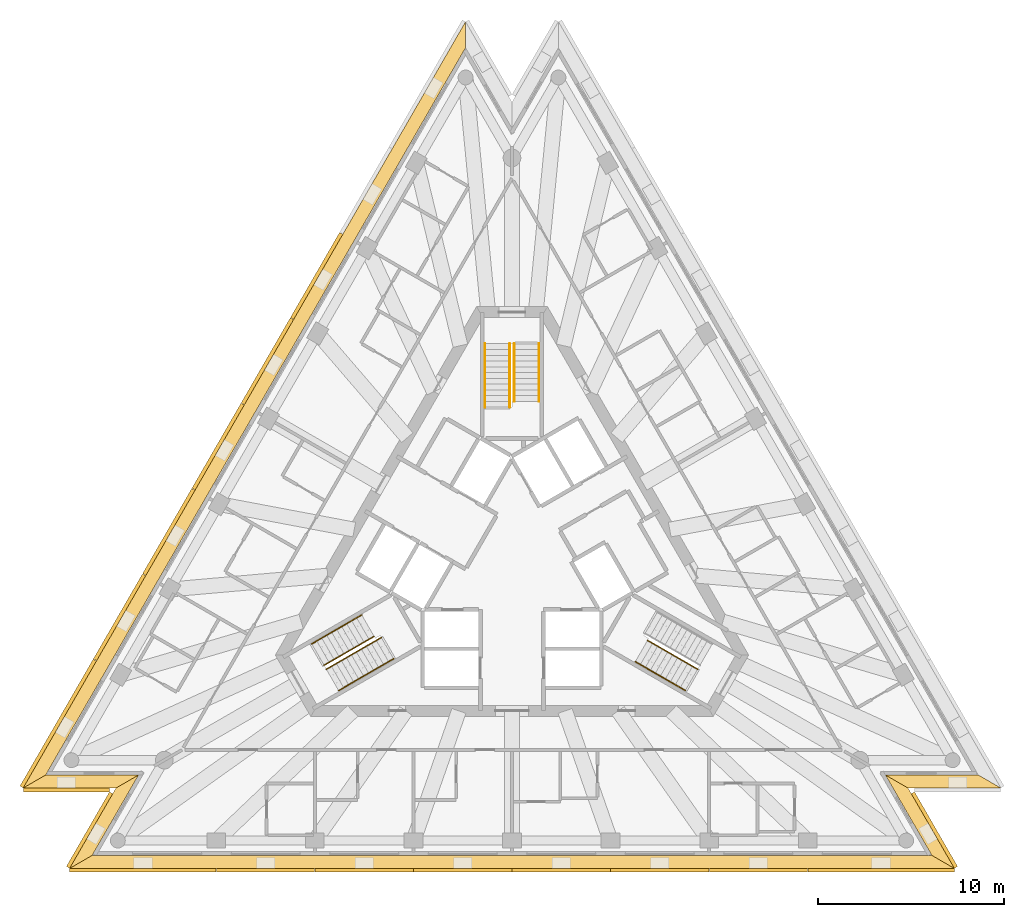
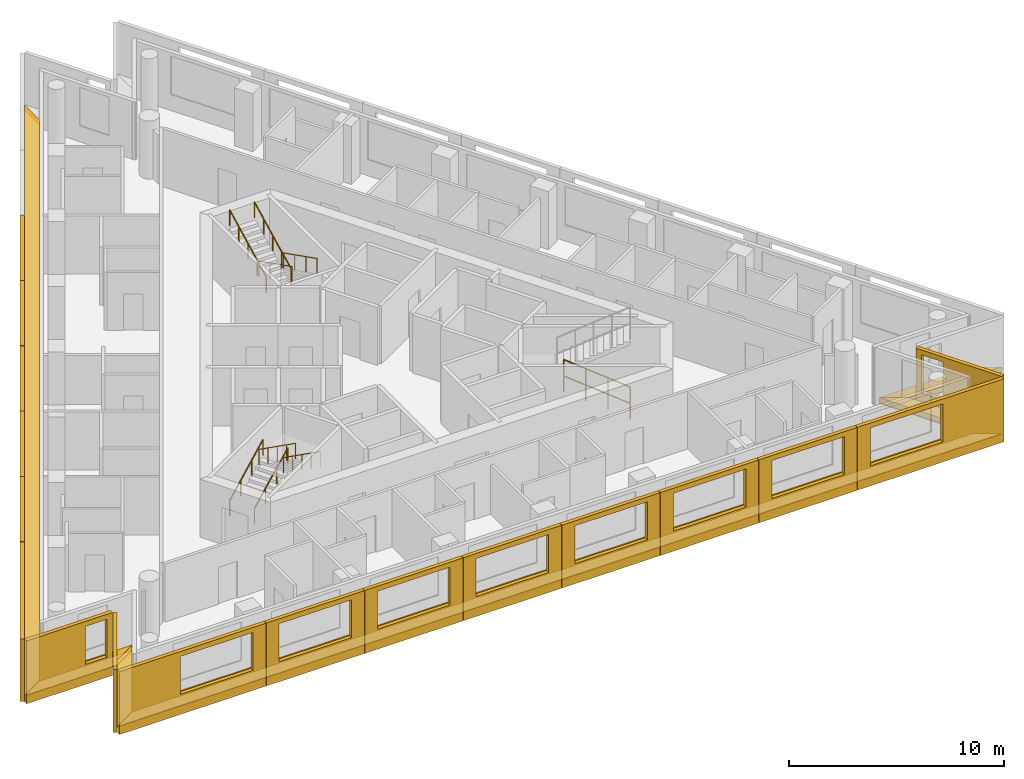
# One storey, part 10 of 11: 23 shading devices, 10 railings, 6 coverings, 3 elements without a shape of their own.
"""IFC4 building model written with IfcOpenShell, lengths in metres."""

from ifc_helpers import new_model, si_unit, direction, frame, origin, origin_2d, place, context, subcontext, project, spatial, polyline, circle, outline, extrude, material, layer, layer_set, layer_usage, type_object, element, aggregate, save


model = new_model("IFC4")

# Units and contexts
model_context = context("Model", 3, precision=1e-05, world=origin(), true_north=direction((0.0, 1.0)))
body_context = subcontext(model_context, "Body", "Model", "MODEL_VIEW")
ifc_project = project(units=[si_unit("LENGTHUNIT", "METRE"), si_unit("AREAUNIT", "SQUARE_METRE"), si_unit("VOLUMEUNIT", "CUBIC_METRE"), si_unit("PLANEANGLEUNIT", "RADIAN"), si_unit("MASSUNIT", "GRAM", prefix="KILO")], contexts=[model_context])

# Site, building, storey
site_placement = place(None, origin())
site = spatial("IfcSite", under=ifc_project, at=site_placement, CompositionType="ELEMENT")
building_placement = place(site_placement, origin())
building = spatial("IfcBuilding", under=site, at=building_placement, Name="Triada Interchange Tower", CompositionType="ELEMENT")
storey_placement = place(building_placement, frame((0.0, 0.0, 300.699951171875)))
storey = spatial("IfcBuildingStorey", under=building, at=storey_placement, Name="L71", CompositionType="ELEMENT", Elevation=300.699951171875)

# Coverings
ifc_material_1 = material(Name="Mineral fire-stop board")
ifc_layer_1 = layer(ifc_material_1, 0.0400390625, Name="Mineral fire-stop board")
ifc_material_2 = material(Name="Intumescent sealant")
ifc_layer_2 = layer(ifc_material_2, 0.010009765625, Name="Intumescent seal")
ifc_layer_set_1 = layer_set([ifc_layer_1, ifc_layer_2], Name="Cavity fire stop")
ifc_layer_usage = layer_usage(ifc_layer_set_1, "AXIS3", "POSITIVE", 0.0)
covering_type = type_object("IfcCoveringType", Name="Cavity fire stop", PredefinedType="INSULATION", material=ifc_layer_set_1)
covering_1_placement = place(storey_placement, origin())
element("IfcCovering", 1, at=covering_1_placement, inside=storey, type_object=covering_type, material=ifc_layer_usage, Name="Cavity fire stop L71 NW", PredefinedType="INSULATION", context=body_context, shape_type="SweptSolid", body=[
    extrude(outline(polyline([(-2.498046875, 27.527099609375), (-2.498046875, 28.927001953125), (-26.300048828125, -12.300048828125), (-25.087890625, -11.60009765625), (-2.498046875, 27.527099609375)])), origin(), (0.0, 0.0, 1.0), 0.050048828125),
])
covering_2_placement = place(storey_placement, origin())
element("IfcCovering", 2, at=covering_2_placement, inside=storey, type_object=covering_type, material=ifc_layer_usage, Name="Cavity fire stop L71 SW-1", PredefinedType="INSULATION", context=body_context, shape_type="SweptSolid", body=[
    extrude(outline(polyline([(-25.087890625, -11.60009765625), (-26.300048828125, -12.300048828125), (-21.302978515625, -12.300048828125), (-20.091064453125, -11.60009765625), (-25.087890625, -11.60009765625)])), origin(), (0.0, 0.0, 1.0), 0.050048828125),
])
covering_3_placement = place(storey_placement, origin())
element("IfcCovering", 3, at=covering_3_placement, inside=storey, type_object=covering_type, material=ifc_layer_usage, Name="Cavity fire stop L71 SW-2", PredefinedType="INSULATION", context=body_context, shape_type="SweptSolid", body=[
    extrude(outline(polyline([(-20.091064453125, -11.60009765625), (-21.302978515625, -12.300048828125), (-23.802001953125, -16.626953125), (-22.590087890625, -15.927001953125), (-20.091064453125, -11.60009765625)])), origin(), (0.0, 0.0, 1.0), 0.050048828125),
])
covering_4_placement = place(storey_placement, origin())
element("IfcCovering", 4, at=covering_4_placement, inside=storey, type_object=covering_type, material=ifc_layer_usage, Name="Cavity fire stop L71 S", PredefinedType="INSULATION", context=body_context, shape_type="SweptSolid", body=[
    extrude(outline(polyline([(-22.590087890625, -15.927001953125), (-23.802001953125, -16.626953125), (23.802001953125, -16.626953125), (22.590087890625, -15.927001953125), (-22.590087890625, -15.927001953125)])), origin(), (0.0, 0.0, 1.0), 0.050048828125),
])
covering_5_placement = place(storey_placement, origin())
element("IfcCovering", 5, at=covering_5_placement, inside=storey, type_object=covering_type, material=ifc_layer_usage, Name="Cavity fire stop L71 SE-1", PredefinedType="INSULATION", context=body_context, shape_type="SweptSolid", body=[
    extrude(outline(polyline([(22.590087890625, -15.927001953125), (23.802001953125, -16.626953125), (21.302978515625, -12.300048828125), (20.091064453125, -11.60009765625), (22.590087890625, -15.927001953125)])), origin(), (0.0, 0.0, 1.0), 0.050048828125),
])
covering_6_placement = place(storey_placement, origin())
element("IfcCovering", 6, at=covering_6_placement, inside=storey, type_object=covering_type, material=ifc_layer_usage, Name="Cavity fire stop L71 SE-2", PredefinedType="INSULATION", context=body_context, shape_type="SweptSolid", body=[
    extrude(outline(polyline([(20.091064453125, -11.60009765625), (21.302978515625, -12.300048828125), (26.300048828125, -12.300048828125), (25.087890625, -11.60009765625), (20.091064453125, -11.60009765625)])), origin(), (0.0, 0.0, 1.0), 0.050048828125),
])

# Shading devices
ifc_material_3 = material(Name="Aluminium louvre", Category="aluminium")
shading_device_type_1 = type_object("IfcShadingDeviceType", Name="Cavity louvre grille", PredefinedType="JALOUSIE", material=ifc_material_3)
shading_device_1_placement = place(storey_placement, frame((0.0, 0.0, 0.050048828125)))
element("IfcShadingDevice", 7, at=shading_device_1_placement, inside=storey, type_object=shading_device_type_1, Name="Cavity louvre grille L71 NW", PredefinedType="JALOUSIE", context=body_context, shape_type="SweptSolid", body=[
    extrude(outline(polyline([(-2.498046875, 27.527099609375), (-2.498046875, 28.927001953125), (-26.300048828125, -12.300048828125), (-25.087890625, -11.60009765625), (-2.498046875, 27.527099609375)])), origin(), (0.0, 0.0, 1.0), 0.300048828125),
])
shading_device_2_placement = place(storey_placement, frame((0.0, 0.0, 0.050048828125)))
element("IfcShadingDevice", 8, at=shading_device_2_placement, inside=storey, type_object=shading_device_type_1, Name="Cavity louvre grille L71 SW-1", PredefinedType="JALOUSIE", context=body_context, shape_type="SweptSolid", body=[
    extrude(outline(polyline([(-25.087890625, -11.60009765625), (-26.300048828125, -12.300048828125), (-21.302978515625, -12.300048828125), (-20.091064453125, -11.60009765625), (-25.087890625, -11.60009765625)])), origin(), (0.0, 0.0, 1.0), 0.300048828125),
])
shading_device_3_placement = place(storey_placement, frame((0.0, 0.0, 0.050048828125)))
element("IfcShadingDevice", 9, at=shading_device_3_placement, inside=storey, type_object=shading_device_type_1, Name="Cavity louvre grille L71 SW-2", PredefinedType="JALOUSIE", context=body_context, shape_type="SweptSolid", body=[
    extrude(outline(polyline([(-20.091064453125, -11.60009765625), (-21.302978515625, -12.300048828125), (-23.802001953125, -16.626953125), (-22.590087890625, -15.927001953125), (-20.091064453125, -11.60009765625)])), origin(), (0.0, 0.0, 1.0), 0.300048828125),
])
shading_device_4_placement = place(storey_placement, frame((0.0, 0.0, 0.050048828125)))
element("IfcShadingDevice", 10, at=shading_device_4_placement, inside=storey, type_object=shading_device_type_1, Name="Cavity louvre grille L71 S", PredefinedType="JALOUSIE", context=body_context, shape_type="SweptSolid", body=[
    extrude(outline(polyline([(-22.590087890625, -15.927001953125), (-23.802001953125, -16.626953125), (23.802001953125, -16.626953125), (22.590087890625, -15.927001953125), (-22.590087890625, -15.927001953125)])), origin(), (0.0, 0.0, 1.0), 0.300048828125),
])
shading_device_5_placement = place(storey_placement, frame((0.0, 0.0, 0.050048828125)))
element("IfcShadingDevice", 11, at=shading_device_5_placement, inside=storey, type_object=shading_device_type_1, Name="Cavity louvre grille L71 SE-1", PredefinedType="JALOUSIE", context=body_context, shape_type="SweptSolid", body=[
    extrude(outline(polyline([(22.590087890625, -15.927001953125), (23.802001953125, -16.626953125), (21.302978515625, -12.300048828125), (20.091064453125, -11.60009765625), (22.590087890625, -15.927001953125)])), origin(), (0.0, 0.0, 1.0), 0.300048828125),
])
shading_device_6_placement = place(storey_placement, frame((0.0, 0.0, 0.050048828125)))
element("IfcShadingDevice", 12, at=shading_device_6_placement, inside=storey, type_object=shading_device_type_1, Name="Cavity louvre grille L71 SE-2", PredefinedType="JALOUSIE", context=body_context, shape_type="SweptSolid", body=[
    extrude(outline(polyline([(20.091064453125, -11.60009765625), (21.302978515625, -12.300048828125), (26.300048828125, -12.300048828125), (25.087890625, -11.60009765625), (20.091064453125, -11.60009765625)])), origin(), (0.0, 0.0, 1.0), 0.300048828125),
])
ifc_material_4 = material(Name="Concrete C50/60 precast", Category="concrete")
ifc_layer_3 = layer(ifc_material_4, 0.02001953125, Name="Exposed aggregate face")
ifc_layer_4 = layer(ifc_material_4, 0.179931640625, Name="Precast concrete screen")
ifc_layer_set_2 = layer_set([ifc_layer_3, ifc_layer_4], Name="Outer skin screen panel 3580")
shading_device_type_2 = type_object("IfcShadingDeviceType", Name="Outer skin screen panel 3580", PredefinedType="SHUTTER", material=ifc_layer_set_2)
shading_device_7_placement = place(storey_placement, frame((-9.10302734375, 17.487060546875, -0.2900390625), z_axis=(0.0, 0.0, 1.0), x_axis=(-0.500011881073, -0.866018544135, 0.0)))
element("IfcShadingDevice", 13, at=shading_device_7_placement, inside=storey, type_object=shading_device_type_2, Name="Outer skin screen panel L71 03", PredefinedType="SHUTTER", context=body_context, shape_type="SweptSolid", body=[
    extrude(outline(polyline([(0.0, 0.0), (5.281494140625, 0.0), (5.281494140625, 3.580078125), (0.0, 3.580078125), (0.0, 0.0)]), holes=[polyline([(0.6904296875, 1.139892578125), (0.6904296875, 3.300048828125), (4.59033203125, 3.300048828125), (4.59033203125, 1.139892578125), (0.6904296875, 1.139892578125)])]), frame((0.0, 0.0, 0.0), z_axis=(0.0, -1.0, 0.0), x_axis=(1.0, 0.0, 0.0)), (0.0, 0.0, 1.0), 0.199951171875),
])
shading_device_8_placement = place(storey_placement, frame((-11.75390625, 12.89599609375, -0.2900390625), z_axis=(0.0, 0.0, 1.0), x_axis=(-0.499907866474, -0.866078590566, 0.0)))
element("IfcShadingDevice", 14, at=shading_device_8_placement, inside=storey, type_object=shading_device_type_2, Name="Outer skin screen panel L71 04", PredefinedType="SHUTTER", context=body_context, shape_type="SweptSolid", body=[
    extrude(outline(polyline([(0.0, 0.0), (5.28125, 0.0), (5.28125, 3.580078125), (0.0, 3.580078125), (0.0, 0.0)]), holes=[polyline([(0.690185546875, 1.139892578125), (0.690185546875, 3.300048828125), (4.59033203125, 3.300048828125), (4.59033203125, 1.139892578125), (0.690185546875, 1.139892578125)])]), frame((0.0, 0.0, 0.0), z_axis=(0.0, -1.0, 0.0), x_axis=(1.0, 0.0, 0.0)), (0.0, 0.0, 1.0), 0.199951171875),
])
shading_device_9_placement = place(storey_placement, frame((-14.404052734375, 8.304931640625, -0.2900390625), z_axis=(0.0, 0.0, 1.0), x_axis=(-0.500011881073, -0.866018544135, 0.0)))
element("IfcShadingDevice", 15, at=shading_device_9_placement, inside=storey, type_object=shading_device_type_2, Name="Outer skin screen panel L71 05", PredefinedType="SHUTTER", context=body_context, shape_type="SweptSolid", body=[
    extrude(outline(polyline([(0.0, 0.0), (5.281494140625, 0.0), (5.281494140625, 3.580078125), (0.0, 3.580078125), (0.0, 0.0)]), holes=[polyline([(0.690185546875, 1.139892578125), (0.690185546875, 3.300048828125), (4.59033203125, 3.300048828125), (4.59033203125, 1.139892578125), (0.690185546875, 1.139892578125)])]), frame((0.0, 0.0, 0.0), z_axis=(0.0, -1.0, 0.0), x_axis=(1.0, 0.0, 0.0)), (0.0, 0.0, 1.0), 0.199951171875),
])
shading_device_10_placement = place(storey_placement, frame((-17.054931640625, 3.714111328125, -0.2900390625), z_axis=(0.0, 0.0, 1.0), x_axis=(-0.499887852359, -0.866090142574, 0.0)))
element("IfcShadingDevice", 16, at=shading_device_10_placement, inside=storey, type_object=shading_device_type_2, Name="Outer skin screen panel L71 06", PredefinedType="SHUTTER", context=body_context, shape_type="SweptSolid", body=[
    extrude(outline(polyline([(0.0, 0.0), (5.281494140625, 0.0), (5.281494140625, 3.580078125), (0.0, 3.580078125), (0.0, 0.0)]), holes=[polyline([(0.690185546875, 1.139892578125), (0.690185546875, 3.300048828125), (4.590087890625, 3.300048828125), (4.590087890625, 1.139892578125), (0.690185546875, 1.139892578125)])]), frame((0.0, 0.0, 0.0), z_axis=(0.0, -1.0, 0.0), x_axis=(1.0, 0.0, 0.0)), (0.0, 0.0, 1.0), 0.199951171875),
])
shading_device_11_placement = place(storey_placement, frame((-19.705078125, -0.876953125, -0.2900390625), z_axis=(0.0, 0.0, 1.0), x_axis=(-0.500091956443, -0.865972306197, 0.0)))
element("IfcShadingDevice", 17, at=shading_device_11_placement, inside=storey, type_object=shading_device_type_2, Name="Outer skin screen panel L71 07", PredefinedType="SHUTTER", context=body_context, shape_type="SweptSolid", body=[
    extrude(outline(polyline([(0.0, 0.0), (5.28076171875, 0.0), (5.28076171875, 3.580078125), (0.0, 3.580078125), (0.0, 0.0)]), holes=[polyline([(0.690185546875, 1.139892578125), (0.690185546875, 3.300048828125), (4.590087890625, 3.300048828125), (4.590087890625, 1.139892578125), (0.690185546875, 1.139892578125)])]), frame((0.0, 0.0, 0.0), z_axis=(0.0, -1.0, 0.0), x_axis=(1.0, 0.0, 0.0)), (0.0, 0.0, 1.0), 0.199951171875),
])
shading_device_12_placement = place(storey_placement, frame((-22.35595703125, -5.468017578125, -0.2900390625), z_axis=(0.0, 0.0, 1.0), x_axis=(-0.499971924588, -0.866041612524, 0.0)))
element("IfcShadingDevice", 18, at=shading_device_12_placement, inside=storey, type_object=shading_device_type_2, Name="Outer skin screen panel L71 08", PredefinedType="SHUTTER", context=body_context, shape_type="SweptSolid", body=[
    extrude(outline(polyline([(0.0, 0.0), (7.87841796875, 0.0), (7.87841796875, 3.580078125), (0.0, 3.580078125), (0.0, 0.0)]), holes=[polyline([(0.690185546875, 1.139892578125), (0.690185546875, 3.300048828125), (4.590087890625, 3.300048828125), (4.590087890625, 1.139892578125), (0.690185546875, 1.139892578125)])]), frame((0.0, 0.0, 0.0), z_axis=(0.0, -1.0, 0.0), x_axis=(1.0, 0.0, 0.0)), (0.0, 0.0, 1.0), 0.199951171875),
])
shading_device_13_placement = place(storey_placement, frame((-26.2900390625, -12.300048828125, -0.2900390625), z_axis=(0.0, 0.0, 1.0), x_axis=(1.0, 0.0, 0.0)))
element("IfcShadingDevice", 19, at=shading_device_13_placement, inside=storey, type_object=shading_device_type_2, Name="Outer skin screen panel L71 09", PredefinedType="SHUTTER", context=body_context, shape_type="SweptSolid", body=[
    extrude(outline(polyline([(0.0, 0.0), (4.630126953125, 0.0), (4.630126953125, 3.580078125), (0.0, 3.580078125), (0.0, 0.0)]), holes=[polyline([(3.175048828125, 1.139892578125), (3.175048828125, 3.300048828125), (4.330078125, 3.300048828125), (4.330078125, 1.139892578125), (3.175048828125, 1.139892578125)])]), frame((0.0, 0.0, 0.0), z_axis=(0.0, -1.0, 0.0), x_axis=(1.0, 0.0, 0.0)), (0.0, 0.0, 1.0), 0.199951171875),
])
shading_device_14_placement = place(storey_placement, frame((-21.48193359375, -12.60888671875, -0.2900390625), z_axis=(0.0, 0.0, 1.0), x_axis=(-0.500092201355, -0.865972164763, 0.0)))
element("IfcShadingDevice", 20, at=shading_device_14_placement, inside=storey, type_object=shading_device_type_2, Name="Outer skin screen panel L71 10", PredefinedType="SHUTTER", context=body_context, shape_type="SweptSolid", body=[
    extrude(outline(polyline([(0.0, 0.0), (4.629638671875, 0.0), (4.629638671875, 3.580078125), (0.0, 3.580078125), (0.0, 0.0)]), holes=[polyline([(0.300048828125, 1.139892578125), (0.300048828125, 3.300048828125), (1.2578125, 3.300048828125), (1.2578125, 1.139892578125), (0.300048828125, 1.139892578125)])]), frame((0.0, 0.0, 0.0), z_axis=(0.0, -1.0, 0.0), x_axis=(1.0, 0.0, 0.0)), (0.0, 0.0, 1.0), 0.199951171875),
])
shading_device_15_placement = place(storey_placement, frame((-23.7919921875, -16.626953125, -0.2900390625), z_axis=(0.0, 0.0, 1.0), x_axis=(1.0, 0.0, 0.0)))
element("IfcShadingDevice", 21, at=shading_device_15_placement, inside=storey, type_object=shading_device_type_2, Name="Outer skin screen panel L71 11", PredefinedType="SHUTTER", context=body_context, shape_type="SweptSolid", body=[
    extrude(outline(polyline([(0.0, 0.0), (7.87890625, 0.0), (7.87890625, 3.580078125), (0.0, 3.580078125), (0.0, 0.0)]), holes=[polyline([(3.2890625, 1.139892578125), (3.2890625, 3.300048828125), (7.18896484375, 3.300048828125), (7.18896484375, 1.139892578125), (3.2890625, 1.139892578125)])]), frame((0.0, 0.0, 0.0), z_axis=(0.0, -1.0, 0.0), x_axis=(1.0, 0.0, 0.0)), (0.0, 0.0, 1.0), 0.199951171875),
])
for number, where, z_axis, x_axis, name in (
    (22, (-15.89306640625, -16.626953125, -0.2900390625), (0.0, 0.0, 1.0), (1.0, 0.0, 0.0), "Outer skin screen panel L71 12"),
    (23, (-10.592041015625, -16.626953125, -0.2900390625), (0.0, 0.0, 1.0), (1.0, 0.0, 0.0), "Outer skin screen panel L71 13"),
):
    element("IfcShadingDevice", number, at=place(storey_placement, frame(where, z_axis=z_axis, x_axis=x_axis)), inside=storey, type_object=shading_device_type_2, Name=name, PredefinedType="SHUTTER", context=body_context, shape_type="SweptSolid", body=[
        extrude(outline(polyline([(0.0, 0.0), (5.281005859375, 0.0), (5.281005859375, 3.580078125), (0.0, 3.580078125), (0.0, 0.0)]), holes=[polyline([(0.69091796875, 1.139892578125), (0.69091796875, 3.300048828125), (4.591064453125, 3.300048828125), (4.591064453125, 1.139892578125), (0.69091796875, 1.139892578125)])]), frame((0.0, 0.0, 0.0), z_axis=(0.0, -1.0, 0.0), x_axis=(1.0, 0.0, 0.0)), (0.0, 0.0, 1.0), 0.199951171875),
    ])
shading_device_16_placement = place(storey_placement, frame((-5.291015625, -16.626953125, -0.2900390625), z_axis=(0.0, 0.0, 1.0), x_axis=(1.0, 0.0, 0.0)))
element("IfcShadingDevice", 24, at=shading_device_16_placement, inside=storey, type_object=shading_device_type_2, Name="Outer skin screen panel L71 14", PredefinedType="SHUTTER", context=body_context, shape_type="SweptSolid", body=[
    extrude(outline(polyline([(0.0, 0.0), (5.281005859375, 0.0), (5.281005859375, 3.580078125), (0.0, 3.580078125), (0.0, 0.0)]), holes=[polyline([(0.68994140625, 1.139892578125), (0.68994140625, 3.300048828125), (4.590087890625, 3.300048828125), (4.590087890625, 1.139892578125), (0.68994140625, 1.139892578125)])]), frame((0.0, 0.0, 0.0), z_axis=(0.0, -1.0, 0.0), x_axis=(1.0, 0.0, 0.0)), (0.0, 0.0, 1.0), 0.199951171875),
])
shading_device_17_placement = place(storey_placement, frame((0.010009765625, -16.626953125, -0.2900390625), z_axis=(0.0, 0.0, 1.0), x_axis=(1.0, 0.0, 0.0)))
element("IfcShadingDevice", 25, at=shading_device_17_placement, inside=storey, type_object=shading_device_type_2, Name="Outer skin screen panel L71 15", PredefinedType="SHUTTER", context=body_context, shape_type="SweptSolid", body=[
    extrude(outline(polyline([(0.0, 0.0), (5.281005859375, 0.0), (5.281005859375, 3.580078125), (0.0, 3.580078125), (0.0, 0.0)]), holes=[polyline([(0.69091796875, 1.139892578125), (0.69091796875, 3.300048828125), (4.591064453125, 3.300048828125), (4.591064453125, 1.139892578125), (0.69091796875, 1.139892578125)])]), frame((0.0, 0.0, 0.0), z_axis=(0.0, -1.0, 0.0), x_axis=(1.0, 0.0, 0.0)), (0.0, 0.0, 1.0), 0.199951171875),
])
shading_device_18_placement = place(storey_placement, frame((5.31103515625, -16.626953125, -0.2900390625), z_axis=(0.0, 0.0, 1.0), x_axis=(1.0, 0.0, 0.0)))
element("IfcShadingDevice", 26, at=shading_device_18_placement, inside=storey, type_object=shading_device_type_2, Name="Outer skin screen panel L71 16", PredefinedType="SHUTTER", context=body_context, shape_type="SweptSolid", body=[
    extrude(outline(polyline([(0.0, 0.0), (5.281005859375, 0.0), (5.281005859375, 3.580078125), (0.0, 3.580078125), (0.0, 0.0)]), holes=[polyline([(0.68994140625, 1.139892578125), (0.68994140625, 3.300048828125), (4.590087890625, 3.300048828125), (4.590087890625, 1.139892578125), (0.68994140625, 1.139892578125)])]), frame((0.0, 0.0, 0.0), z_axis=(0.0, -1.0, 0.0), x_axis=(1.0, 0.0, 0.0)), (0.0, 0.0, 1.0), 0.199951171875),
])
shading_device_19_placement = place(storey_placement, frame((10.612060546875, -16.626953125, -0.2900390625), z_axis=(0.0, 0.0, 1.0), x_axis=(1.0, 0.0, 0.0)))
element("IfcShadingDevice", 27, at=shading_device_19_placement, inside=storey, type_object=shading_device_type_2, Name="Outer skin screen panel L71 17", PredefinedType="SHUTTER", context=body_context, shape_type="SweptSolid", body=[
    extrude(outline(polyline([(0.0, 0.0), (5.281005859375, 0.0), (5.281005859375, 3.580078125), (0.0, 3.580078125), (0.0, 0.0)]), holes=[polyline([(0.69091796875, 1.139892578125), (0.69091796875, 3.300048828125), (4.591064453125, 3.300048828125), (4.591064453125, 1.139892578125), (0.69091796875, 1.139892578125)])]), frame((0.0, 0.0, 0.0), z_axis=(0.0, -1.0, 0.0), x_axis=(1.0, 0.0, 0.0)), (0.0, 0.0, 1.0), 0.199951171875),
])
shading_device_20_placement = place(storey_placement, frame((15.9130859375, -16.626953125, -0.2900390625), z_axis=(0.0, 0.0, 1.0), x_axis=(1.0, 0.0, 0.0)))
element("IfcShadingDevice", 28, at=shading_device_20_placement, inside=storey, type_object=shading_device_type_2, Name="Outer skin screen panel L71 18", PredefinedType="SHUTTER", context=body_context, shape_type="SweptSolid", body=[
    extrude(outline(polyline([(0.0, 0.0), (7.87890625, 0.0), (7.87890625, 3.580078125), (0.0, 3.580078125), (0.0, 0.0)]), holes=[polyline([(0.68994140625, 1.139892578125), (0.68994140625, 3.300048828125), (4.590087890625, 3.300048828125), (4.590087890625, 1.139892578125), (0.68994140625, 1.139892578125)])]), frame((0.0, 0.0, 0.0), z_axis=(0.0, -1.0, 0.0), x_axis=(1.0, 0.0, 0.0)), (0.0, 0.0, 1.0), 0.199951171875),
])
shading_device_21_placement = place(storey_placement, frame((23.797119140625, -16.617919921875, -0.2900390625), z_axis=(0.0, 0.0, 1.0), x_axis=(-0.500092201355, 0.865972164763, 0.0)))
element("IfcShadingDevice", 29, at=shading_device_21_placement, inside=storey, type_object=shading_device_type_2, Name="Outer skin screen panel L71 19", PredefinedType="SHUTTER", context=body_context, shape_type="SweptSolid", body=[
    extrude(outline(polyline([(0.0, 0.0), (4.629638671875, 0.0), (4.629638671875, 3.580078125), (0.0, 3.580078125), (0.0, 0.0)]), holes=[polyline([(3.17529296875, 1.139892578125), (3.17529296875, 3.300048828125), (4.330078125, 3.300048828125), (4.330078125, 1.139892578125), (3.17529296875, 1.139892578125)])]), frame((0.0, 0.0, 0.0), z_axis=(0.0, -1.0, 0.0), x_axis=(1.0, 0.0, 0.0)), (0.0, 0.0, 1.0), 0.199951171875),
])

# Stair, railings
ifc_material_5 = material(Name="Concrete C35/45", Category="concrete")
stair_type = type_object("IfcStairType", Name="HALF TURN STAIR 1400", PredefinedType="HALF_TURN_STAIR", material=ifc_material_5)
stair_1_placement = place(storey_placement, origin())
stair_1 = element("IfcStair", 30, at=stair_1_placement, inside=storey, type_object=stair_type, Name="Exit stair S71-1", PredefinedType="HALF_TURN_STAIR")
ifc_material_6 = material(Name="Stainless steel 1.4301", Category="steel")
railing_type = type_object("IfcRailingType", Name="STAIR HANDRAIL 900", PredefinedType="HANDRAIL", material=ifc_material_6)
railing_1_placement = place(storey_placement, frame((1.449951171875, 11.60009765625, 0.156494140625)))
railing_1 = element("IfcRailing", 31, at=railing_1_placement, type_object=railing_type, Name="Handrail S71-1 1W", PredefinedType="HANDRAIL", context=body_context, shape_type="SweptSolid", body=[
    extrude(circle(Radius=0.02392578125, at=origin_2d()), frame((0.0, 0.0, 0.8759765625), z_axis=(0.0, -0.89267693942, 0.450697106522), x_axis=(1.0, 0.0, 0.0)), (0.0, 0.0, 1.0), 3.472900390625),
    extrude(circle(Radius=0.02099609375, at=origin_2d()), origin(), (0.0, 0.0, 1.0), 0.851806640625),
    extrude(circle(Radius=0.02099609375, at=origin_2d()), frame((0.0, -1.033447265625, 0.521728515625)), (0.0, 0.0, 1.0), 0.851806640625),
    extrude(circle(Radius=0.02099609375, at=origin_2d()), frame((0.0, -2.066650390625, 1.04345703125)), (0.0, 0.0, 1.0), 0.851806640625),
    extrude(circle(Radius=0.02099609375, at=origin_2d()), frame((0.0, -3.10009765625, 1.565185546875)), (0.0, 0.0, 1.0), 0.851806640625),
])
railing_2_placement = place(storey_placement, frame((0.1201171875, 11.60009765625, 0.156494140625)))
railing_2 = element("IfcRailing", 32, at=railing_2_placement, type_object=railing_type, Name="Handrail S71-1 1C", PredefinedType="HANDRAIL", context=body_context, shape_type="SweptSolid", body=[
    extrude(circle(Radius=0.02392578125, at=origin_2d()), frame((0.0, 0.0, 0.8759765625), z_axis=(0.0, -0.89267693942, 0.450697106522), x_axis=(1.0, 0.0, 0.0)), (0.0, 0.0, 1.0), 3.472900390625),
    extrude(circle(Radius=0.02099609375, at=origin_2d()), origin(), (0.0, 0.0, 1.0), 0.851806640625),
    extrude(circle(Radius=0.02099609375, at=origin_2d()), frame((0.0, -1.033447265625, 0.521728515625)), (0.0, 0.0, 1.0), 0.851806640625),
    extrude(circle(Radius=0.02099609375, at=origin_2d()), frame((0.0, -2.066650390625, 1.04345703125)), (0.0, 0.0, 1.0), 0.851806640625),
    extrude(circle(Radius=0.02099609375, at=origin_2d()), frame((0.0, -3.10009765625, 1.565185546875)), (0.0, 0.0, 1.0), 0.851806640625),
])
railing_3_placement = place(storey_placement, frame((-1.449951171875, 8.18994140625, 1.878173828125)))
railing_3 = element("IfcRailing", 33, at=railing_3_placement, type_object=railing_type, Name="Handrail S71-1 2W", PredefinedType="HANDRAIL", context=body_context, shape_type="SweptSolid", body=[
    extrude(circle(Radius=0.02392578125, at=origin_2d()), frame((0.0, 0.0, 0.8759765625), z_axis=(0.0, 0.892682106939, 0.450686871287), x_axis=(-1.0, 0.0, 0.0)), (0.0, 0.0, 1.0), 3.820068359375),
    extrude(circle(Radius=0.02099609375, at=origin_2d()), origin(), (0.0, 0.0, 1.0), 0.851806640625),
    extrude(circle(Radius=0.02099609375, at=origin_2d()), frame((0.0, 0.8525390625, 0.430419921875)), (0.0, 0.0, 1.0), 0.851806640625),
    extrude(circle(Radius=0.02099609375, at=origin_2d()), frame((0.0, 1.705078125, 0.86083984375)), (0.0, 0.0, 1.0), 0.851806640625),
    extrude(circle(Radius=0.02099609375, at=origin_2d()), frame((0.0, 2.5576171875, 1.291259765625)), (0.0, 0.0, 1.0), 0.851806640625),
    extrude(circle(Radius=0.02099609375, at=origin_2d()), frame((0.0, 3.41015625, 1.7216796875)), (0.0, 0.0, 1.0), 0.851806640625),
])
railing_4_placement = place(storey_placement, frame((-0.1201171875, 8.18994140625, 1.878173828125)))
railing_4 = element("IfcRailing", 34, at=railing_4_placement, type_object=railing_type, Name="Handrail S71-1 2C", PredefinedType="HANDRAIL", context=body_context, shape_type="SweptSolid", body=[
    extrude(circle(Radius=0.02392578125, at=origin_2d()), frame((0.0, 0.0, 0.8759765625), z_axis=(0.0, 0.892682106939, 0.450686871287), x_axis=(-1.0, 0.0, 0.0)), (0.0, 0.0, 1.0), 3.820068359375),
    extrude(circle(Radius=0.02099609375, at=origin_2d()), origin(), (0.0, 0.0, 1.0), 0.851806640625),
    extrude(circle(Radius=0.02099609375, at=origin_2d()), frame((0.0, 0.8525390625, 0.430419921875)), (0.0, 0.0, 1.0), 0.851806640625),
    extrude(circle(Radius=0.02099609375, at=origin_2d()), frame((0.0, 1.705078125, 0.86083984375)), (0.0, 0.0, 1.0), 0.851806640625),
    extrude(circle(Radius=0.02099609375, at=origin_2d()), frame((0.0, 2.5576171875, 1.291259765625)), (0.0, 0.0, 1.0), 0.851806640625),
    extrude(circle(Radius=0.02099609375, at=origin_2d()), frame((0.0, 3.41015625, 1.7216796875)), (0.0, 0.0, 1.0), 0.851806640625),
])
aggregate(stair_1, [railing_1, railing_2, railing_3, railing_4])

stair_2_placement = place(storey_placement, origin())
stair_2 = element("IfcStair", 35, at=stair_2_placement, inside=storey, type_object=stair_type, Name="Exit stair S71-2", PredefinedType="HALF_TURN_STAIR")
railing_5_placement = place(storey_placement, frame((-10.77099609375, -4.5439453125, 0.156494140625)))
railing_5 = element("IfcRailing", 36, at=railing_5_placement, type_object=railing_type, Name="Handrail S71-2 1W", PredefinedType="HANDRAIL", context=body_context, shape_type="SweptSolid", body=[
    extrude(circle(Radius=0.02392578125, at=origin_2d()), frame((0.0, 0.0, 0.8759765625), z_axis=(0.773115112249, 0.446309133267, 0.4506674836), x_axis=(-0.499958760481, 0.866049212123, 0.0)), (0.0, 0.0, 1.0), 3.47314453125),
    extrude(circle(Radius=0.02099609375, at=origin_2d()), origin(), (0.0, 0.0, 1.0), 0.851806640625),
    extrude(circle(Radius=0.02099609375, at=origin_2d()), frame((0.89501953125, 0.5166015625, 0.521728515625)), (0.0, 0.0, 1.0), 0.851806640625),
    extrude(circle(Radius=0.02099609375, at=origin_2d()), frame((1.7900390625, 1.033447265625, 1.04345703125)), (0.0, 0.0, 1.0), 0.851806640625),
    extrude(circle(Radius=0.02099609375, at=origin_2d()), frame((2.68505859375, 1.550048828125, 1.565185546875)), (0.0, 0.0, 1.0), 0.851806640625),
])
railing_6_placement = place(storey_placement, frame((-10.10595703125, -5.696044921875, 0.156494140625)))
railing_6 = element("IfcRailing", 37, at=railing_6_placement, type_object=railing_type, Name="Handrail S71-2 1C", PredefinedType="HANDRAIL", context=body_context, shape_type="SweptSolid", body=[
    extrude(circle(Radius=0.02392578125, at=origin_2d()), frame((0.0, 0.0, 0.8759765625), z_axis=(0.773115112249, 0.446309133267, 0.4506674836), x_axis=(-0.499958760481, 0.866049212123, 0.0)), (0.0, 0.0, 1.0), 3.47314453125),
    extrude(circle(Radius=0.02099609375, at=origin_2d()), origin(), (0.0, 0.0, 1.0), 0.851806640625),
    extrude(circle(Radius=0.02099609375, at=origin_2d()), frame((0.89501953125, 0.5166015625, 0.521728515625)), (0.0, 0.0, 1.0), 0.851806640625),
    extrude(circle(Radius=0.02099609375, at=origin_2d()), frame((1.7900390625, 1.033447265625, 1.04345703125)), (0.0, 0.0, 1.0), 0.851806640625),
    extrude(circle(Radius=0.02099609375, at=origin_2d()), frame((2.68505859375, 1.550048828125, 1.565185546875)), (0.0, 0.0, 1.0), 0.851806640625),
])
railing_7_placement = place(storey_placement, frame((-6.367919921875, -5.35107421875, 1.878173828125)))
railing_7 = element("IfcRailing", 38, at=railing_7_placement, type_object=railing_type, Name="Handrail S71-2 2W", PredefinedType="HANDRAIL", context=body_context, shape_type="SweptSolid", body=[
    extrude(circle(Radius=0.02392578125, at=origin_2d()), frame((0.0, 0.0, 0.8759765625), z_axis=(-0.773090904651, -0.446304049866, 0.450714042625), x_axis=(0.499966231165, -0.866044899352, 0.0)), (0.0, 0.0, 1.0), 3.81982421875),
    extrude(circle(Radius=0.02099609375, at=origin_2d()), origin(), (0.0, 0.0, 1.0), 0.851806640625),
    extrude(circle(Radius=0.02099609375, at=origin_2d()), frame((-0.73828125, -0.42626953125, 0.430419921875)), (0.0, 0.0, 1.0), 0.851806640625),
    extrude(circle(Radius=0.02099609375, at=origin_2d()), frame((-1.4765625, -0.8525390625, 0.86083984375)), (0.0, 0.0, 1.0), 0.851806640625),
    extrude(circle(Radius=0.02099609375, at=origin_2d()), frame((-2.21484375, -1.278564453125, 1.291259765625)), (0.0, 0.0, 1.0), 0.851806640625),
    extrude(circle(Radius=0.02099609375, at=origin_2d()), frame((-2.953125, -1.704833984375, 1.7216796875)), (0.0, 0.0, 1.0), 0.851806640625),
])
railing_8_placement = place(storey_placement, frame((-7.032958984375, -4.198974609375, 1.878173828125)))
railing_8 = element("IfcRailing", 39, at=railing_8_placement, type_object=railing_type, Name="Handrail S71-2 2C", PredefinedType="HANDRAIL", context=body_context, shape_type="SweptSolid", body=[
    extrude(circle(Radius=0.02392578125, at=origin_2d()), frame((0.0, 0.0, 0.8759765625), z_axis=(-0.773068851904, -0.446355229968, 0.450701185816), x_axis=(0.50001992892, -0.866013897511, 0.0)), (0.0, 0.0, 1.0), 3.820068359375),
    extrude(circle(Radius=0.02099609375, at=origin_2d()), origin(), (0.0, 0.0, 1.0), 0.851806640625),
    extrude(circle(Radius=0.02099609375, at=origin_2d()), frame((-0.73828125, -0.42626953125, 0.430419921875)), (0.0, 0.0, 1.0), 0.851806640625),
    extrude(circle(Radius=0.02099609375, at=origin_2d()), frame((-1.4765625, -0.8525390625, 0.86083984375)), (0.0, 0.0, 1.0), 0.851806640625),
    extrude(circle(Radius=0.02099609375, at=origin_2d()), frame((-2.21484375, -1.27880859375, 1.291259765625)), (0.0, 0.0, 1.0), 0.851806640625),
    extrude(circle(Radius=0.02099609375, at=origin_2d()), frame((-2.953125, -1.705078125, 1.7216796875)), (0.0, 0.0, 1.0), 0.851806640625),
])
aggregate(stair_2, [railing_5, railing_6, railing_7, railing_8])

stair_3_placement = place(storey_placement, origin())
stair_3 = element("IfcStair", 40, at=stair_3_placement, inside=storey, type_object=stair_type, Name="Exit stair S71-3", PredefinedType="HALF_TURN_STAIR")
railing_9_placement = place(storey_placement, frame((9.321044921875, -7.055908203125, 0.156494140625)))
railing_9 = element("IfcRailing", 41, at=railing_9_placement, type_object=railing_type, Name="Handrail S71-3 1W", PredefinedType="HANDRAIL", context=body_context, shape_type="SweptSolid", body=[
    extrude(circle(Radius=0.02392578125, at=origin_2d()), frame((0.0, 0.0, 0.8759765625), z_axis=(-0.773139366989, 0.446252837029, 0.450681622274), x_axis=(-0.499899694197, -0.866083307622, 0.0)), (0.0, 0.0, 1.0), 3.472900390625),
    extrude(circle(Radius=0.02099609375, at=origin_2d()), origin(), (0.0, 0.0, 1.0), 0.851806640625),
    extrude(circle(Radius=0.02099609375, at=origin_2d()), frame((-0.89501953125, 0.5166015625, 0.521728515625)), (0.0, 0.0, 1.0), 0.851806640625),
    extrude(circle(Radius=0.02099609375, at=origin_2d()), frame((-1.7900390625, 1.033203125, 1.04345703125)), (0.0, 0.0, 1.0), 0.851806640625),
    extrude(circle(Radius=0.02099609375, at=origin_2d()), frame((-2.68505859375, 1.5498046875, 1.565185546875)), (0.0, 0.0, 1.0), 0.851806640625),
])
railing_10_placement = place(storey_placement, frame((9.986083984375, -5.904052734375, 0.156494140625)))
railing_10 = element("IfcRailing", 42, at=railing_10_placement, type_object=railing_type, Name="Handrail S71-3 1C", PredefinedType="HANDRAIL", context=body_context, shape_type="SweptSolid", body=[
    extrude(circle(Radius=0.02392578125, at=origin_2d()), frame((0.0, 0.0, 0.8759765625), z_axis=(-0.773115112249, 0.446309133267, 0.4506674836), x_axis=(-0.499958760481, -0.866049212123, 0.0)), (0.0, 0.0, 1.0), 3.47314453125),
    extrude(circle(Radius=0.02099609375, at=origin_2d()), origin(), (0.0, 0.0, 1.0), 0.851806640625),
    extrude(circle(Radius=0.02099609375, at=origin_2d()), frame((-0.89501953125, 0.5166015625, 0.521728515625)), (0.0, 0.0, 1.0), 0.851806640625),
    extrude(circle(Radius=0.02099609375, at=origin_2d()), frame((-1.7900390625, 1.033447265625, 1.04345703125)), (0.0, 0.0, 1.0), 0.851806640625),
    extrude(circle(Radius=0.02099609375, at=origin_2d()), frame((-2.68505859375, 1.550048828125, 1.565185546875)), (0.0, 0.0, 1.0), 0.851806640625),
])
aggregate(stair_3, [railing_9, railing_10])

save(model, "model.ifc")
